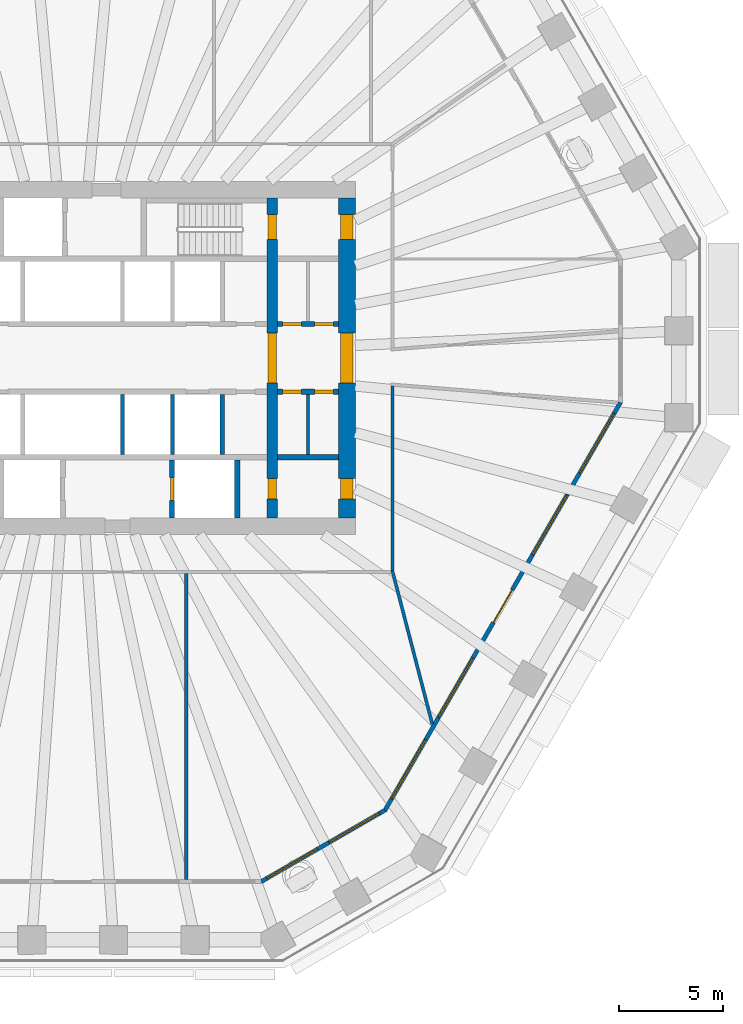
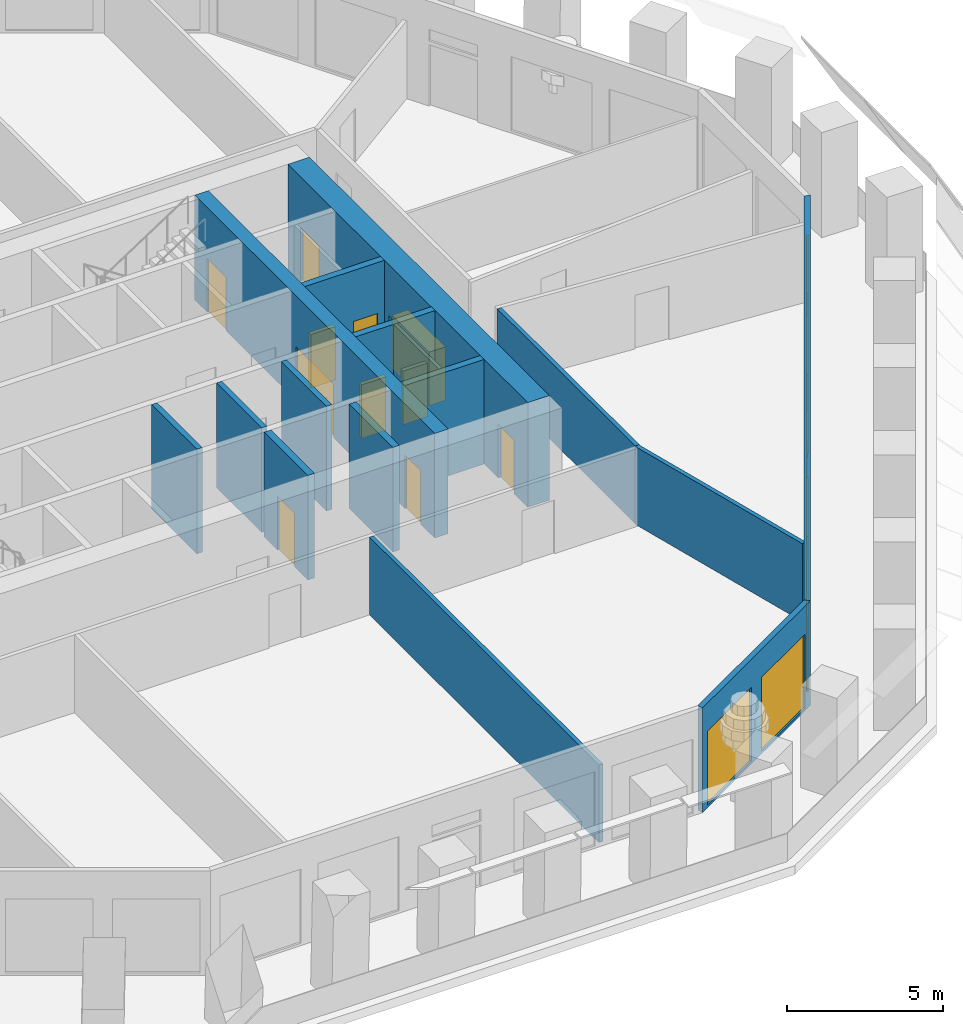
# One storey, part 5 of 12: 16 walls, 12 doors, 7 windows, 19 openings.
"""IFC4 building model written with IfcOpenShell, lengths in metres."""

from ifc_helpers import new_model, si_unit, direction, frame, frame_2d, origin, place, context, subcontext, project, spatial, polyline, rectangle, outline, extrude, material, layer, layer_set, type_object, element, fill, save


model = new_model("IFC4")

# Units and contexts
model_context = context("Model", 3, precision=1e-05, world=origin(), true_north=direction((0.0, 1.0)))
body_context = subcontext(model_context, "Body", "Model", "MODEL_VIEW")
ifc_project = project(units=[si_unit("LENGTHUNIT", "METRE"), si_unit("AREAUNIT", "SQUARE_METRE"), si_unit("VOLUMEUNIT", "CUBIC_METRE"), si_unit("PLANEANGLEUNIT", "RADIAN"), si_unit("MASSUNIT", "GRAM", prefix="KILO")], contexts=[model_context])

# Site, building, storey
site_placement = place(None, origin())
site = spatial("IfcSite", under=ifc_project, at=site_placement, CompositionType="ELEMENT")
building_placement = place(site_placement, origin())
building = spatial("IfcBuilding", under=site, at=building_placement, Name="Frailejon Research Tower", CompositionType="ELEMENT")
storey_placement = place(building_placement, frame((0.0, 0.0, 122.0)))
storey = spatial("IfcBuildingStorey", under=building, at=storey_placement, Name="L26", CompositionType="ELEMENT", Elevation=122.0)

# Wall
ifc_material_1 = material(Name="Plasterboard on steel studs", Category="steel")
ifc_layer_1 = layer(ifc_material_1, 0.125)
ifc_layer_set_1 = layer_set([ifc_layer_1], Name="Core partition 125")
wall_type_1 = type_object("IfcWallType", Name="Core partition 125", PredefinedType="PARTITIONING", material=ifc_layer_set_1)
wall_1_placement = place(storey_placement, frame((11.324951171875, -4.64990234375, 0.0), z_axis=(0.0, 0.0, 1.0), x_axis=(0.0, 1.0, 0.0)))
element("IfcWall", 1, at=wall_1_placement, inside=storey, type_object=wall_type_1, Name="Core partition", PredefinedType="PARTITIONING", context=body_context, shape_type="SweptSolid", body=[
    extrude(rectangle(XDim=2.89990234375, YDim=0.125, at=frame_2d((1.449951171875, 0.0))), origin(), (0.0, 0.0, 1.0), 4.10009765625),
])

# Wall, openings, doors
ifc_material_2 = material(Name="Concrete C70/85", Category="concrete")
ifc_layer_2 = layer(ifc_material_2, 0.5)
ifc_layer_set_2 = layer_set([ifc_layer_2], Name="Core shear wall 500 C70/85")
wall_type_2 = type_object("IfcWallType", Name="Core shear wall 500 C70/85", PredefinedType="SHEAR", material=ifc_layer_set_2)
wall_2_placement = place(storey_placement, frame((9.60009765625, -7.699951171875, 0.0), z_axis=(0.0, 0.0, 1.0), x_axis=(0.0, 1.0, 0.0)))
wall_2 = element("IfcWall", 2, at=wall_2_placement, inside=storey, type_object=wall_type_2, Name="Core shear wall", PredefinedType="SHEAR", context=body_context, shape_type="SweptSolid", body=[
    extrude(rectangle(XDim=15.39990234375, YDim=0.5, at=frame_2d((7.699951171875, 0.0))), origin(), (0.0, 0.0, 1.0), 4.10009765625),
])
opening_1_placement = place(wall_2_placement, frame((6.5, 0.0, 0.0)))
opening_1 = element("IfcOpeningElement", 3, at=opening_1_placement, cuts=wall_2, Name="Opening D2", PredefinedType="OPENING", context=body_context, shape_type="SweptSolid", body=[
    extrude(rectangle(XDim=2.39990234375, YDim=2.10009765625, at=frame_2d((1.199951171875, 1.050048828125))), frame((0.0, 0.260009765625, 0.0), z_axis=(0.0, -1.0, 0.0), x_axis=(1.0, 0.0, 0.0)), (0.0, 0.0, 1.0), 0.52001953125),
])
opening_2_placement = place(wall_2_placement, frame((13.39990234375, 0.0, 0.0)))
opening_2 = element("IfcOpeningElement", 4, at=opening_2_placement, cuts=wall_2, Name="Opening D1", PredefinedType="OPENING", context=body_context, shape_type="SweptSolid", body=[
    extrude(rectangle(XDim=1.199951171875, YDim=2.10009765625, at=frame_2d((0.60009765625, 1.050048828125))), frame((0.0, 0.260009765625, 0.0), z_axis=(0.0, -1.0, 0.0), x_axis=(1.0, 0.0, 0.0)), (0.0, 0.0, 1.0), 0.52001953125),
])
opening_3_placement = place(wall_2_placement, frame((0.89990234375, 0.0, 0.0)))
opening_3 = element("IfcOpeningElement", 5, at=opening_3_placement, cuts=wall_2, Name="Opening D4", PredefinedType="OPENING", context=body_context, shape_type="SweptSolid", body=[
    extrude(rectangle(XDim=1.0, YDim=2.10009765625, at=frame_2d((0.5, 1.050048828125))), frame((0.0, 0.260009765625, 0.0), z_axis=(0.0, -1.0, 0.0), x_axis=(1.0, 0.0, 0.0)), (0.0, 0.0, 1.0), 0.52001953125),
])
ifc_material_3 = material(Name="Steel", Category="steel")
door_type_1 = type_object("IfcDoorType", Name="Lobby double door", OperationType="DOUBLE_DOOR_SINGLE_SWING", PredefinedType="DOOR", material=ifc_material_3)
door_1_placement = place(opening_1_placement, origin())
door_1 = element("IfcDoor", 6, at=door_1_placement, inside=storey, type_object=door_type_1, Name="Lobby door", OperationType="DOUBLE_DOOR_SINGLE_SWING", OverallHeight=2.10009765625, OverallWidth=2.39990234375, PredefinedType="DOOR", context=body_context, shape_type="SweptSolid", body=[
    extrude(rectangle(XDim=2.39990234375, YDim=2.10009765625, at=frame_2d((1.199951171875, 1.050048828125))), frame((0.0, 0.199951171875, 0.0), z_axis=(0.0, -1.0, 0.0), x_axis=(1.0, 0.0, 0.0)), (0.0, 0.0, 1.0), 0.39990234375),
])
fill(opening_1, door_1)
ifc_material_4 = material(Name="Steel", Category="steel")
door_type_2 = type_object("IfcDoorType", Name="Service door", OperationType="SINGLE_SWING_LEFT", PredefinedType="DOOR", material=ifc_material_4)
door_2_placement = place(opening_3_placement, origin())
door_2 = element("IfcDoor", 7, at=door_2_placement, inside=storey, type_object=door_type_2, Name="Riser door", OperationType="SINGLE_SWING_RIGHT", OverallHeight=2.10009765625, OverallWidth=1.0, PredefinedType="DOOR", context=body_context, shape_type="SweptSolid", body=[
    extrude(rectangle(XDim=1.0, YDim=2.10009765625, at=frame_2d((0.5, 1.050048828125))), frame((0.0, 0.199951171875, 0.0), z_axis=(0.0, -1.0, 0.0), x_axis=(1.0, 0.0, 0.0)), (0.0, 0.0, 1.0), 0.39990234375),
])
fill(opening_3, door_2)
ifc_material_5 = material(Name="Steel", Category="steel")
door_type_3 = type_object("IfcDoorType", Name="Stair door", OperationType="SINGLE_SWING_LEFT", PredefinedType="DOOR", material=ifc_material_5)
door_3_placement = place(opening_2_placement, origin())
door_3 = element("IfcDoor", 8, at=door_3_placement, inside=storey, type_object=door_type_3, Name="Stair door ST3", OperationType="SINGLE_SWING_RIGHT", OverallHeight=2.10009765625, OverallWidth=1.199951171875, PredefinedType="DOOR", context=body_context, shape_type="SweptSolid", body=[
    extrude(rectangle(XDim=1.199951171875, YDim=2.10009765625, at=frame_2d((0.60009765625, 1.050048828125))), frame((0.0, 0.199951171875, 0.0), z_axis=(0.0, -1.0, 0.0), x_axis=(1.0, 0.0, 0.0)), (0.0, 0.0, 1.0), 0.39990234375),
])
fill(opening_2, door_3)

ifc_material_6 = material(Name="Concrete C70/85", Category="concrete")
ifc_layer_3 = layer(ifc_material_6, 0.800048828125)
ifc_layer_set_3 = layer_set([ifc_layer_3], Name="Core shear wall 800 C70/85")
wall_type_3 = type_object("IfcWallType", Name="Core shear wall 800 C70/85", PredefinedType="SHEAR", material=ifc_layer_set_3)
wall_3_placement = place(storey_placement, frame((13.199951171875, -7.699951171875, 0.0), z_axis=(0.0, 0.0, 1.0), x_axis=(0.0, 1.0, 0.0)))
wall_3 = element("IfcWall", 9, at=wall_3_placement, inside=storey, type_object=wall_type_3, Name="Core shear wall", PredefinedType="SHEAR", context=body_context, shape_type="SweptSolid", body=[
    extrude(rectangle(XDim=15.39990234375, YDim=0.800048828125, at=frame_2d((7.699951171875, 0.0))), origin(), (0.0, 0.0, 1.0), 4.10009765625),
])
opening_4_placement = place(wall_3_placement, frame((6.5, 0.0, 0.0)))
opening_4 = element("IfcOpeningElement", 10, at=opening_4_placement, cuts=wall_3, Name="Opening D2", PredefinedType="OPENING", context=body_context, shape_type="SweptSolid", body=[
    extrude(rectangle(XDim=2.39990234375, YDim=2.10009765625, at=frame_2d((1.199951171875, 1.050048828125))), frame((0.0, 0.409912109375, 0.0), z_axis=(0.0, -1.0, 0.0), x_axis=(1.0, 0.0, 0.0)), (0.0, 0.0, 1.0), 0.820068359375),
])
opening_5_placement = place(wall_3_placement, frame((13.39990234375, 0.0, 0.0)))
opening_5 = element("IfcOpeningElement", 11, at=opening_5_placement, cuts=wall_3, Name="Opening D7", PredefinedType="OPENING", context=body_context, shape_type="SweptSolid", body=[
    extrude(rectangle(XDim=1.199951171875, YDim=2.10009765625, at=frame_2d((0.60009765625, 1.050048828125))), frame((0.0, 0.409912109375, 0.0), z_axis=(0.0, -1.0, 0.0), x_axis=(1.0, 0.0, 0.0)), (0.0, 0.0, 1.0), 0.820068359375),
])
opening_6_placement = place(wall_3_placement, frame((0.89990234375, 0.0, 0.0)))
opening_6 = element("IfcOpeningElement", 12, at=opening_6_placement, cuts=wall_3, Name="Opening D4", PredefinedType="OPENING", context=body_context, shape_type="SweptSolid", body=[
    extrude(rectangle(XDim=1.0, YDim=2.10009765625, at=frame_2d((0.5, 1.050048828125))), frame((0.0, 0.409912109375, 0.0), z_axis=(0.0, -1.0, 0.0), x_axis=(1.0, 0.0, 0.0)), (0.0, 0.0, 1.0), 0.820068359375),
])
door_4_placement = place(opening_4_placement, origin())
door_4 = element("IfcDoor", 13, at=door_4_placement, inside=storey, type_object=door_type_1, Name="Lobby door", OperationType="DOUBLE_DOOR_SINGLE_SWING", OverallHeight=2.10009765625, OverallWidth=2.39990234375, PredefinedType="DOOR", context=body_context, shape_type="SweptSolid", body=[
    extrude(rectangle(XDim=2.39990234375, YDim=2.10009765625, at=frame_2d((1.199951171875, 1.050048828125))), frame((0.0, 0.300048828125, 0.0), z_axis=(0.0, -1.0, 0.0), x_axis=(1.0, 0.0, 0.0)), (0.0, 0.0, 1.0), 0.60009765625),
])
fill(opening_4, door_4)
door_5_placement = place(opening_6_placement, origin())
door_5 = element("IfcDoor", 14, at=door_5_placement, inside=storey, type_object=door_type_2, Name="Store door", OperationType="SINGLE_SWING_LEFT", OverallHeight=2.10009765625, OverallWidth=1.0, PredefinedType="DOOR", context=body_context, shape_type="SweptSolid", body=[
    extrude(rectangle(XDim=1.0, YDim=2.10009765625, at=frame_2d((0.5, 1.050048828125))), frame((0.0, 0.300048828125, 0.0), z_axis=(0.0, -1.0, 0.0), x_axis=(1.0, 0.0, 0.0)), (0.0, 0.0, 1.0), 0.60009765625),
])
fill(opening_6, door_5)
ifc_material_7 = material(Name="Steel", Category="steel")
door_type_4 = type_object("IfcDoorType", Name="Stair exit door", OperationType="SINGLE_SWING_LEFT", PredefinedType="DOOR", material=ifc_material_7)
door_6_placement = place(opening_5_placement, origin())
door_6 = element("IfcDoor", 15, at=door_6_placement, inside=storey, type_object=door_type_4, Name="Stair exit door ST3", OperationType="SINGLE_SWING_LEFT", OverallHeight=2.10009765625, OverallWidth=1.199951171875, PredefinedType="DOOR", context=body_context, shape_type="SweptSolid", body=[
    extrude(rectangle(XDim=1.199951171875, YDim=2.10009765625, at=frame_2d((0.60009765625, 1.050048828125))), frame((0.0, 0.300048828125, 0.0), z_axis=(0.0, -1.0, 0.0), x_axis=(1.0, 0.0, 0.0)), (0.0, 0.0, 1.0), 0.60009765625),
])
fill(opening_5, door_6)

# Walls
ifc_material_8 = material(Name="Gypsum board and masonry partition", Category="masonry")
ifc_layer_4 = layer(ifc_material_8, 0.14990234375)
ifc_layer_set_4 = layer_set([ifc_layer_4], Name="Corridor wall EI 60, gypsum on steel studs 150")
wall_type_4 = type_object("IfcWallType", Name="Corridor wall EI 60, gypsum on steel studs 150", PredefinedType="PARTITIONING", material=ifc_layer_set_4)
wall_4_placement = place(storey_placement, frame((15.39990234375, -10.22509765625, 0.0), z_axis=(0.0, 0.0, 1.0), x_axis=(0.0, 1.0, 0.0)))
element("IfcWall", 16, at=wall_4_placement, inside=storey, type_object=wall_type_4, Name="T:IW:L26:001", PredefinedType="PARTITIONING", context=body_context, shape_type="SweptSolid", body=[
    extrude(rectangle(XDim=8.86279296875, YDim=0.14990234375, at=frame_2d((4.431396484375, 0.0))), origin(), (0.0, 0.0, 1.0), 3.050048828125),
])
ifc_material_9 = material(Name="Gypsum board and masonry partition", Category="masonry")
ifc_layer_5 = layer(ifc_material_9, 0.14990234375)
ifc_layer_set_5 = layer_set([ifc_layer_5], Name="Laboratory partition, blockwork 150")
wall_type_5 = type_object("IfcWallType", Name="Laboratory partition, blockwork 150", PredefinedType="PARTITIONING", material=ifc_layer_set_5)
wall_5_placement = place(storey_placement, frame((5.46533203125, -25.0947265625, 0.0), z_axis=(0.0, 0.0, 1.0), x_axis=(0.0, 1.0, 0.0)))
element("IfcWall", 17, at=wall_5_placement, inside=storey, type_object=wall_type_5, Name="T:IW:L26:018", PredefinedType="PARTITIONING", context=body_context, shape_type="SweptSolid", body=[
    extrude(rectangle(XDim=14.7197265625, YDim=0.14990234375, at=frame_2d((7.35986328125, 0.0))), origin(), (0.0, 0.0, 1.0), 3.050048828125),
])
wall_6_placement = place(storey_placement, frame((15.381103515625, -10.227294921875, 0.0), z_axis=(0.0, 0.0, 1.0), x_axis=(0.252055148488, -0.967712871735, 0.0)))
element("IfcWall", 18, at=wall_6_placement, inside=storey, type_object=wall_type_5, Name="T:IW:L26:019", PredefinedType="PARTITIONING", context=body_context, shape_type="SweptSolid", body=[
    extrude(rectangle(XDim=7.642333984375, YDim=0.14990234375, at=frame_2d((3.8212890625, 0.0))), origin(), (0.0, 0.0, 1.0), 3.050048828125),
])
ifc_material_10 = material(Name="Concrete C70/85", Category="concrete")
ifc_layer_6 = layer(ifc_material_10, 0.199951171875)
ifc_layer_set_6 = layer_set([ifc_layer_6], Name="Shaft wall 200 C70/85")
wall_type_6 = type_object("IfcWallType", Name="Shaft wall 200 C70/85", PredefinedType="SOLIDWALL", material=ifc_layer_set_6)
for number, where, z_axis, x_axis, name in (
    (19, (2.39990234375, -4.64990234375, 0.0), (0.0, 0.0, 1.0), (0.0, 1.0, 0.0), "Shaft wall"),
    (20, (4.800048828125, -4.64990234375, 0.0), (0.0, 0.0, 1.0), (0.0, 1.0, 0.0), "Shaft wall"),
    (21, (7.199951171875, -4.64990234375, 0.0), (0.0, 0.0, 1.0), (0.0, 1.0, 0.0), "Shaft wall"),
):
    element("IfcWall", number, at=place(storey_placement, frame(where, z_axis=z_axis, x_axis=x_axis)), inside=storey, type_object=wall_type_6, Name=name, PredefinedType="SOLIDWALL", context=body_context, shape_type="SweptSolid", body=[
        extrude(rectangle(XDim=2.89990234375, YDim=0.199951171875, at=frame_2d((1.449951171875, 0.0))), origin(), (0.0, 0.0, 1.0), 4.10009765625),
    ])

# Wall, openings, doors
ifc_material_11 = material(Name="Concrete C70/85", Category="concrete")
ifc_layer_7 = layer(ifc_material_11, 0.25)
ifc_layer_set_7 = layer_set([ifc_layer_7], Name="Shaft wall 250 C70/85")
wall_type_7 = type_object("IfcWallType", Name="Shaft wall 250 C70/85", PredefinedType="SOLIDWALL", material=ifc_layer_set_7)
wall_7_placement = place(storey_placement, frame((9.85009765625, 1.625, 0.0), z_axis=(0.0, 0.0, 1.0), x_axis=(1.0, 0.0, 0.0)))
wall_7 = element("IfcWall", 22, at=wall_7_placement, inside=storey, type_object=wall_type_7, Name="Shaft wall", PredefinedType="SOLIDWALL", context=body_context, shape_type="SweptSolid", body=[
    extrude(rectangle(XDim=2.949951171875, YDim=0.25, at=frame_2d((1.47509765625, 0.0))), origin(), (0.0, 0.0, 1.0), 4.10009765625),
])
opening_7_placement = place(wall_7_placement, frame((0.256103515625, 0.0, 0.0)))
opening_7 = element("IfcOpeningElement", 23, at=opening_7_placement, cuts=wall_7, Name="Opening D8", PredefinedType="OPENING", context=body_context, shape_type="SweptSolid", body=[
    extrude(rectangle(XDim=0.89990234375, YDim=2.10009765625, at=frame_2d((0.449951171875, 1.050048828125))), frame((0.0, 0.135009765625, 0.0), z_axis=(0.0, -1.0, 0.0), x_axis=(1.0, 0.0, 0.0)), (0.0, 0.0, 1.0), 0.27001953125),
])
opening_8_placement = place(wall_7_placement, frame((1.793701171875, 0.0, 0.0)))
opening_8 = element("IfcOpeningElement", 24, at=opening_8_placement, cuts=wall_7, Name="Opening D8", PredefinedType="OPENING", context=body_context, shape_type="SweptSolid", body=[
    extrude(rectangle(XDim=0.89990234375, YDim=2.10009765625, at=frame_2d((0.449951171875, 1.050048828125))), frame((0.0, 0.135009765625, 0.0), z_axis=(0.0, -1.0, 0.0), x_axis=(1.0, 0.0, 0.0)), (0.0, 0.0, 1.0), 0.27001953125),
])
ifc_material_12 = material(Name="Steel", Category="steel")
door_type_5 = type_object("IfcDoorType", Name="Core room door", OperationType="SINGLE_SWING_LEFT", PredefinedType="DOOR", material=ifc_material_12)
door_7_placement = place(opening_7_placement, origin())
door_7 = element("IfcDoor", 25, at=door_7_placement, inside=storey, type_object=door_type_5, Name="Room door", OperationType="SINGLE_SWING_RIGHT", OverallHeight=2.10009765625, OverallWidth=0.89990234375, PredefinedType="DOOR", context=body_context, shape_type="SweptSolid", body=[
    extrude(rectangle(XDim=0.89990234375, YDim=2.10009765625, at=frame_2d((0.449951171875, 1.050048828125))), frame((0.0, 0.074951171875, 0.0), z_axis=(0.0, -1.0, 0.0), x_axis=(1.0, 0.0, 0.0)), (0.0, 0.0, 1.0), 0.14990234375),
])
fill(opening_7, door_7)
door_8_placement = place(opening_8_placement, origin())
door_8 = element("IfcDoor", 26, at=door_8_placement, inside=storey, type_object=door_type_5, Name="Room door", OperationType="SINGLE_SWING_LEFT", OverallHeight=2.10009765625, OverallWidth=0.89990234375, PredefinedType="DOOR", context=body_context, shape_type="SweptSolid", body=[
    extrude(rectangle(XDim=0.89990234375, YDim=2.10009765625, at=frame_2d((0.449951171875, 1.050048828125))), frame((0.0, 0.074951171875, 0.0), z_axis=(0.0, -1.0, 0.0), x_axis=(1.0, 0.0, 0.0)), (0.0, 0.0, 1.0), 0.14990234375),
])
fill(opening_8, door_8)

wall_8_placement = place(storey_placement, frame((9.85009765625, -1.625, 0.0), z_axis=(0.0, 0.0, 1.0), x_axis=(1.0, 0.0, 0.0)))
wall_8 = element("IfcWall", 27, at=wall_8_placement, inside=storey, type_object=wall_type_7, Name="Shaft wall", PredefinedType="SOLIDWALL", context=body_context, shape_type="SweptSolid", body=[
    extrude(rectangle(XDim=2.949951171875, YDim=0.25, at=frame_2d((1.47509765625, 0.0))), origin(), (0.0, 0.0, 1.0), 4.10009765625),
])
opening_9_placement = place(wall_8_placement, frame((0.256103515625, 0.0, 0.0)))
opening_9 = element("IfcOpeningElement", 28, at=opening_9_placement, cuts=wall_8, Name="Opening D8", PredefinedType="OPENING", context=body_context, shape_type="SweptSolid", body=[
    extrude(rectangle(XDim=0.89990234375, YDim=2.10009765625, at=frame_2d((0.449951171875, 1.050048828125))), frame((0.0, 0.135009765625, 0.0), z_axis=(0.0, -1.0, 0.0), x_axis=(1.0, 0.0, 0.0)), (0.0, 0.0, 1.0), 0.27001953125),
])
opening_10_placement = place(wall_8_placement, frame((1.793701171875, 0.0, 0.0)))
opening_10 = element("IfcOpeningElement", 29, at=opening_10_placement, cuts=wall_8, Name="Opening D8", PredefinedType="OPENING", context=body_context, shape_type="SweptSolid", body=[
    extrude(rectangle(XDim=0.89990234375, YDim=2.10009765625, at=frame_2d((0.449951171875, 1.050048828125))), frame((0.0, 0.135009765625, 0.0), z_axis=(0.0, -1.0, 0.0), x_axis=(1.0, 0.0, 0.0)), (0.0, 0.0, 1.0), 0.27001953125),
])
door_9_placement = place(opening_9_placement, origin())
door_9 = element("IfcDoor", 30, at=door_9_placement, inside=storey, type_object=door_type_5, Name="Room door", OperationType="SINGLE_SWING_RIGHT", OverallHeight=2.10009765625, OverallWidth=0.89990234375, PredefinedType="DOOR", context=body_context, shape_type="SweptSolid", body=[
    extrude(rectangle(XDim=0.89990234375, YDim=2.10009765625, at=frame_2d((0.449951171875, 1.050048828125))), frame((0.0, 0.074951171875, 0.0), z_axis=(0.0, -1.0, 0.0), x_axis=(1.0, 0.0, 0.0)), (0.0, 0.0, 1.0), 0.14990234375),
])
fill(opening_9, door_9)
door_10_placement = place(opening_10_placement, origin())
door_10 = element("IfcDoor", 31, at=door_10_placement, inside=storey, type_object=door_type_5, Name="Room door", OperationType="SINGLE_SWING_LEFT", OverallHeight=2.10009765625, OverallWidth=0.89990234375, PredefinedType="DOOR", context=body_context, shape_type="SweptSolid", body=[
    extrude(rectangle(XDim=0.89990234375, YDim=2.10009765625, at=frame_2d((0.449951171875, 1.050048828125))), frame((0.0, 0.074951171875, 0.0), z_axis=(0.0, -1.0, 0.0), x_axis=(1.0, 0.0, 0.0)), (0.0, 0.0, 1.0), 0.14990234375),
])
fill(opening_10, door_10)

# Wall
wall_9_placement = place(storey_placement, frame((9.85009765625, -4.77490234375, 0.0), z_axis=(0.0, 0.0, 1.0), x_axis=(1.0, 0.0, 0.0)))
element("IfcWall", 32, at=wall_9_placement, inside=storey, type_object=wall_type_7, Name="Shaft wall", PredefinedType="SOLIDWALL", context=body_context, shape_type="SweptSolid", body=[
    extrude(rectangle(XDim=2.949951171875, YDim=0.25, at=frame_2d((1.47509765625, 0.0))), origin(), (0.0, 0.0, 1.0), 4.10009765625),
])

# Wall, opening, door
wall_10_placement = place(storey_placement, frame((4.77490234375, -7.699951171875, 0.0), z_axis=(0.0, 0.0, 1.0), x_axis=(0.0, 1.0, 0.0)))
wall_10 = element("IfcWall", 33, at=wall_10_placement, inside=storey, type_object=wall_type_7, Name="Shaft wall", PredefinedType="SOLIDWALL", context=body_context, shape_type="SweptSolid", body=[
    extrude(rectangle(XDim=2.800048828125, YDim=0.25, at=frame_2d((1.39990234375, 0.0))), origin(), (0.0, 0.0, 1.0), 4.10009765625),
])
opening_11_placement = place(wall_10_placement, frame((0.85009765625, 0.0, 0.0)))
opening_11 = element("IfcOpeningElement", 34, at=opening_11_placement, cuts=wall_10, Name="Opening LD", PredefinedType="OPENING", context=body_context, shape_type="SweptSolid", body=[
    extrude(rectangle(XDim=1.10009765625, YDim=2.10009765625, at=frame_2d((0.550048828125, 1.050048828125))), frame((0.0, 0.135009765625, 0.0), z_axis=(0.0, -1.0, 0.0), x_axis=(1.0, 0.0, 0.0)), (0.0, 0.0, 1.0), 0.27001953125),
])
ifc_material_13 = material(Name="Steel", Category="steel")
door_type_6 = type_object("IfcDoorType", Name="Lift landing door", OperationType="DOUBLE_DOOR_SLIDING", PredefinedType="DOOR", material=ifc_material_13)
door_11_placement = place(opening_11_placement, origin())
door_11 = element("IfcDoor", 35, at=door_11_placement, inside=storey, type_object=door_type_6, Name="Lift landing door", OperationType="DOUBLE_DOOR_SLIDING", OverallHeight=2.10009765625, OverallWidth=1.10009765625, PredefinedType="DOOR", context=body_context, shape_type="SweptSolid", body=[
    extrude(rectangle(XDim=1.10009765625, YDim=2.10009765625, at=frame_2d((0.550048828125, 1.050048828125))), frame((0.0, 0.074951171875, 0.0), z_axis=(0.0, -1.0, 0.0), x_axis=(1.0, 0.0, 0.0)), (0.0, 0.0, 1.0), 0.14990234375),
])
fill(opening_11, door_11)

# Wall
wall_11_placement = place(storey_placement, frame((7.925048828125, -7.699951171875, 0.0), z_axis=(0.0, 0.0, 1.0), x_axis=(0.0, 1.0, 0.0)))
element("IfcWall", 36, at=wall_11_placement, inside=storey, type_object=wall_type_7, Name="Shaft wall", PredefinedType="SOLIDWALL", context=body_context, shape_type="SweptSolid", body=[
    extrude(rectangle(XDim=2.800048828125, YDim=0.25, at=frame_2d((1.39990234375, 0.0))), origin(), (0.0, 0.0, 1.0), 4.10009765625),
])

# Wall, openings, windows
ifc_material_14 = material(Name="Concrete C40/50 precast window wall panel", Category="concrete")
ifc_layer_8 = layer(ifc_material_14, 0.199951171875)
ifc_layer_set_8 = layer_set([ifc_layer_8], Name="Window wall 200")
wall_type_8 = type_object("IfcWallType", Name="Window wall 200", PredefinedType="SOLIDWALL", material=ifc_layer_set_8)
wall_12_placement = place(storey_placement, frame((9.08203125, -25.19482421875, 0.0), z_axis=(0.0, 0.0, 1.0), x_axis=(0.866029458321, 0.49999297727, 0.0)))
wall_12 = element("IfcWall", 37, at=wall_12_placement, inside=storey, type_object=wall_type_8, Name="Exterior wall L26", PredefinedType="SOLIDWALL", context=body_context, shape_type="SweptSolid", body=[
    extrude(outline(polyline([(-0.02685546875, -0.10009765625), (1.1279296875, -0.10009765625), (2.282470703125, -0.10009765625), (3.437255859375, -0.10009765625), (4.592041015625, -0.10009765625), (5.74658203125, -0.10009765625), (6.9013671875, -0.10009765625), (6.84765625, 0.10009765625), (5.7109375, 0.10009765625), (4.573974609375, 0.10009765625), (3.437255859375, 0.10009765625), (2.300537109375, 0.10009765625), (1.16357421875, 0.10009765625), (0.02685546875, 0.10009765625), (-0.02685546875, -0.10009765625)])), origin(), (0.0, 0.0, 1.0), 4.10009765625),
])
opening_12_placement = place(wall_12_placement, frame((0.318603515625, 0.0, 0.10009765625)))
opening_12 = element("IfcOpeningElement", 38, at=opening_12_placement, cuts=wall_12, Name="Opening W3", PredefinedType="OPENING", context=body_context, shape_type="SweptSolid", body=[
    extrude(rectangle(XDim=2.800048828125, YDim=2.89990234375, at=frame_2d((1.39990234375, 1.449951171875))), frame((0.0, 0.10986328125, 0.0), z_axis=(0.0, -1.0, 0.0), x_axis=(1.0, 0.0, 0.0)), (0.0, 0.0, 1.0), 0.219970703125),
])
opening_13_placement = place(wall_12_placement, frame((3.756103515625, 0.0, 0.10009765625)))
opening_13 = element("IfcOpeningElement", 39, at=opening_13_placement, cuts=wall_12, Name="Opening W3", PredefinedType="OPENING", context=body_context, shape_type="SweptSolid", body=[
    extrude(rectangle(XDim=2.800048828125, YDim=2.89990234375, at=frame_2d((1.39990234375, 1.449951171875))), frame((0.0, 0.10986328125, 0.0), z_axis=(0.0, -1.0, 0.0), x_axis=(1.0, 0.0, 0.0)), (0.0, 0.0, 1.0), 0.219970703125),
])
ifc_material_15 = material(Name="Aluminium framed double glazing", Category="aluminium")
window_type_1 = type_object("IfcWindowType", Name="Window 2800x2900", PartitioningType="SINGLE_PANEL", PredefinedType="WINDOW", material=ifc_material_15)
window_1_placement = place(opening_12_placement, origin())
window_1 = element("IfcWindow", 40, at=window_1_placement, inside=storey, type_object=window_type_1, Name="Window L26", OverallHeight=2.89990234375, OverallWidth=2.800048828125, PartitioningType="SINGLE_PANEL", PredefinedType="WINDOW", context=body_context, shape_type="SweptSolid", body=[
    extrude(rectangle(XDim=2.800048828125, YDim=2.89990234375, at=frame_2d((1.39990234375, 1.449951171875))), frame((0.0, 0.030029296875, 0.0), z_axis=(0.0, -1.0, 0.0), x_axis=(1.0, 0.0, 0.0)), (0.0, 0.0, 1.0), 0.06005859375),
])
fill(opening_12, window_1)
window_2_placement = place(opening_13_placement, origin())
window_2 = element("IfcWindow", 41, at=window_2_placement, inside=storey, type_object=window_type_1, Name="Window L26", OverallHeight=2.89990234375, OverallWidth=2.800048828125, PartitioningType="SINGLE_PANEL", PredefinedType="WINDOW", context=body_context, shape_type="SweptSolid", body=[
    extrude(rectangle(XDim=2.800048828125, YDim=2.89990234375, at=frame_2d((1.39990234375, 1.449951171875))), frame((0.0, 0.030029296875, 0.0), z_axis=(0.0, -1.0, 0.0), x_axis=(1.0, 0.0, 0.0)), (0.0, 0.0, 1.0), 0.06005859375),
])
fill(opening_13, window_2)

# Wall, openings, door, windows
wall_13_placement = place(storey_placement, frame((15.03564453125, -21.757568359375, 0.0), z_axis=(0.0, 0.0, 1.0), x_axis=(0.499999574138, 0.866025649656, 0.0)))
wall_13 = element("IfcWall", 42, at=wall_13_placement, inside=storey, type_object=wall_type_8, Name="Exterior wall L26", PredefinedType="SOLIDWALL", context=body_context, shape_type="SweptSolid", body=[
    extrude(outline(polyline([(-0.02685546875, -0.10009765625), (1.005126953125, -0.10009765625), (2.037109375, -0.10009765625), (3.069091796875, -0.10009765625), (4.10107421875, -0.10009765625), (5.133056640625, -0.10009765625), (6.164794921875, -0.10009765625), (7.19677734375, -0.10009765625), (8.228759765625, -0.10009765625), (9.2607421875, -0.10009765625), (10.292724609375, -0.10009765625), (11.32470703125, -0.10009765625), (12.356689453125, -0.10009765625), (13.388671875, -0.10009765625), (14.420654296875, -0.10009765625), (15.45263671875, -0.10009765625), (16.484619140625, -0.10009765625), (17.516357421875, -0.10009765625), (18.54833984375, -0.10009765625), (19.580322265625, -0.10009765625), (20.6123046875, -0.10009765625), (21.644287109375, -0.10009765625), (22.67626953125, -0.10009765625), (22.62255859375, 0.10009765625), (21.595458984375, 0.10009765625), (20.568359375, 0.10009765625), (19.541259765625, 0.10009765625), (18.51416015625, 0.10009765625), (17.487060546875, 0.10009765625), (16.460205078125, 0.10009765625), (15.43310546875, 0.10009765625), (14.406005859375, 0.10009765625), (13.37890625, 0.10009765625), (12.351806640625, 0.10009765625), (11.32470703125, 0.10009765625), (10.297607421875, 0.10009765625), (9.2705078125, 0.10009765625), (8.243408203125, 0.10009765625), (7.21630859375, 0.10009765625), (6.189208984375, 0.10009765625), (5.162353515625, 0.10009765625), (4.13525390625, 0.10009765625), (3.108154296875, 0.10009765625), (2.0810546875, 0.10009765625), (1.053955078125, 0.10009765625), (0.02685546875, 0.10009765625), (-0.02685546875, -0.10009765625)])), origin(), (0.0, 0.0, 1.0), 4.10009765625),
])
opening_14_placement = place(wall_13_placement, frame((0.614990234375, 0.0, 0.10009765625)))
opening_14 = element("IfcOpeningElement", 43, at=opening_14_placement, cuts=wall_13, Name="Opening W5", PredefinedType="OPENING", context=body_context, shape_type="SweptSolid", body=[
    extrude(rectangle(XDim=3.300048828125, YDim=2.89990234375, at=frame_2d((1.64990234375, 1.449951171875))), frame((0.0, 0.10986328125, 0.0), z_axis=(0.0, -1.0, 0.0), x_axis=(1.0, 0.0, 0.0)), (0.0, 0.0, 1.0), 0.219970703125),
])
opening_15_placement = place(wall_13_placement, frame((5.144775390625, 0.0, 0.10009765625)))
opening_15 = element("IfcOpeningElement", 44, at=opening_15_placement, cuts=wall_13, Name="Opening W5", PredefinedType="OPENING", context=body_context, shape_type="SweptSolid", body=[
    extrude(rectangle(XDim=3.300048828125, YDim=2.89990234375, at=frame_2d((1.64990234375, 1.449951171875))), frame((0.0, 0.10986328125, 0.0), z_axis=(0.0, -1.0, 0.0), x_axis=(1.0, 0.0, 0.0)), (0.0, 0.0, 1.0), 0.219970703125),
])
opening_16_placement = place(wall_13_placement, frame((10.4248046875, 0.0, 0.0)))
opening_16 = element("IfcOpeningElement", 45, at=opening_16_placement, cuts=wall_13, Name="Opening LG26-6", PredefinedType="OPENING", context=body_context, shape_type="SweptSolid", body=[
    extrude(rectangle(XDim=1.800048828125, YDim=2.39990234375, at=frame_2d((0.89990234375, 1.199951171875))), frame((0.0, 0.10986328125, 0.0), z_axis=(0.0, -1.0, 0.0), x_axis=(1.0, 0.0, 0.0)), (0.0, 0.0, 1.0), 0.219970703125),
])
opening_17_placement = place(wall_13_placement, frame((10.4248046875, 0.0, 2.550048828125)))
opening_17 = element("IfcOpeningElement", 46, at=opening_17_placement, cuts=wall_13, Name="Opening W1", PredefinedType="OPENING", context=body_context, shape_type="SweptSolid", body=[
    extrude(rectangle(XDim=1.800048828125, YDim=0.449951171875, at=frame_2d((0.89990234375, 0.22509765625))), frame((0.0, 0.10986328125, 0.0), z_axis=(0.0, -1.0, 0.0), x_axis=(1.0, 0.0, 0.0)), (0.0, 0.0, 1.0), 0.219970703125),
])
opening_18_placement = place(wall_13_placement, frame((14.20458984375, 0.0, 0.10009765625)))
opening_18 = element("IfcOpeningElement", 47, at=opening_18_placement, cuts=wall_13, Name="Opening W5", PredefinedType="OPENING", context=body_context, shape_type="SweptSolid", body=[
    extrude(rectangle(XDim=3.300048828125, YDim=2.89990234375, at=frame_2d((1.64990234375, 1.449951171875))), frame((0.0, 0.10986328125, 0.0), z_axis=(0.0, -1.0, 0.0), x_axis=(1.0, 0.0, 0.0)), (0.0, 0.0, 1.0), 0.219970703125),
])
opening_19_placement = place(wall_13_placement, frame((18.734375, 0.0, 0.10009765625)))
opening_19 = element("IfcOpeningElement", 48, at=opening_19_placement, cuts=wall_13, Name="Opening W5", PredefinedType="OPENING", context=body_context, shape_type="SweptSolid", body=[
    extrude(rectangle(XDim=3.300048828125, YDim=2.89990234375, at=frame_2d((1.64990234375, 1.449951171875))), frame((0.0, 0.10986328125, 0.0), z_axis=(0.0, -1.0, 0.0), x_axis=(1.0, 0.0, 0.0)), (0.0, 0.0, 1.0), 0.219970703125),
])
ifc_material_16 = material(Name="Aluminium framed glazed door leaf", Category="aluminium")
door_type_7 = type_object("IfcDoorType", Name="Loggia door 1800x2400", OperationType="DOUBLE_DOOR_SINGLE_SWING", PredefinedType="DOOR", material=ifc_material_16)
door_12_placement = place(opening_16_placement, origin())
door_12 = element("IfcDoor", 49, at=door_12_placement, inside=storey, type_object=door_type_7, Name="Door LG26-6", OperationType="DOUBLE_DOOR_SINGLE_SWING", OverallHeight=2.39990234375, OverallWidth=1.800048828125, PredefinedType="DOOR", context=body_context, shape_type="SweptSolid", body=[
    extrude(rectangle(XDim=1.800048828125, YDim=2.39990234375, at=frame_2d((0.89990234375, 1.199951171875))), frame((0.0, 0.02490234375, 0.0), z_axis=(0.0, -1.0, 0.0), x_axis=(1.0, 0.0, 0.0)), (0.0, 0.0, 1.0), 0.050048828125),
])
fill(opening_16, door_12)
ifc_material_17 = material(Name="Aluminium framed double glazing", Category="aluminium")
window_type_2 = type_object("IfcWindowType", Name="Window 1800x450", PartitioningType="SINGLE_PANEL", PredefinedType="WINDOW", material=ifc_material_17)
window_3_placement = place(opening_17_placement, origin())
window_3 = element("IfcWindow", 50, at=window_3_placement, inside=storey, type_object=window_type_2, Name="Window L26", OverallHeight=0.449951171875, OverallWidth=1.800048828125, PartitioningType="SINGLE_PANEL", PredefinedType="WINDOW", context=body_context, shape_type="SweptSolid", body=[
    extrude(rectangle(XDim=1.800048828125, YDim=0.449951171875, at=frame_2d((0.89990234375, 0.22509765625))), frame((0.0, 0.030029296875, 0.0), z_axis=(0.0, -1.0, 0.0), x_axis=(1.0, 0.0, 0.0)), (0.0, 0.0, 1.0), 0.06005859375),
])
fill(opening_17, window_3)
ifc_material_18 = material(Name="Aluminium framed double glazing", Category="aluminium")
window_type_3 = type_object("IfcWindowType", Name="Window 3300x2900", PartitioningType="SINGLE_PANEL", PredefinedType="WINDOW", material=ifc_material_18)
window_4_placement = place(opening_14_placement, origin())
window_4 = element("IfcWindow", 51, at=window_4_placement, inside=storey, type_object=window_type_3, Name="Window L26", OverallHeight=2.89990234375, OverallWidth=3.300048828125, PartitioningType="SINGLE_PANEL", PredefinedType="WINDOW", context=body_context, shape_type="SweptSolid", body=[
    extrude(rectangle(XDim=3.300048828125, YDim=2.89990234375, at=frame_2d((1.64990234375, 1.449951171875))), frame((0.0, 0.030029296875, 0.0), z_axis=(0.0, -1.0, 0.0), x_axis=(1.0, 0.0, 0.0)), (0.0, 0.0, 1.0), 0.06005859375),
])
fill(opening_14, window_4)
window_5_placement = place(opening_15_placement, origin())
window_5 = element("IfcWindow", 52, at=window_5_placement, inside=storey, type_object=window_type_3, Name="Window L26", OverallHeight=2.89990234375, OverallWidth=3.300048828125, PartitioningType="SINGLE_PANEL", PredefinedType="WINDOW", context=body_context, shape_type="SweptSolid", body=[
    extrude(rectangle(XDim=3.300048828125, YDim=2.89990234375, at=frame_2d((1.64990234375, 1.449951171875))), frame((0.0, 0.030029296875, 0.0), z_axis=(0.0, -1.0, 0.0), x_axis=(1.0, 0.0, 0.0)), (0.0, 0.0, 1.0), 0.06005859375),
])
fill(opening_15, window_5)
window_6_placement = place(opening_18_placement, origin())
window_6 = element("IfcWindow", 53, at=window_6_placement, inside=storey, type_object=window_type_3, Name="Window L26", OverallHeight=2.89990234375, OverallWidth=3.300048828125, PartitioningType="SINGLE_PANEL", PredefinedType="WINDOW", context=body_context, shape_type="SweptSolid", body=[
    extrude(rectangle(XDim=3.300048828125, YDim=2.89990234375, at=frame_2d((1.64990234375, 1.449951171875))), frame((0.0, 0.030029296875, 0.0), z_axis=(0.0, -1.0, 0.0), x_axis=(1.0, 0.0, 0.0)), (0.0, 0.0, 1.0), 0.06005859375),
])
fill(opening_18, window_6)
window_7_placement = place(opening_19_placement, origin())
window_7 = element("IfcWindow", 54, at=window_7_placement, inside=storey, type_object=window_type_3, Name="Window L26", OverallHeight=2.89990234375, OverallWidth=3.300048828125, PartitioningType="SINGLE_PANEL", PredefinedType="WINDOW", context=body_context, shape_type="SweptSolid", body=[
    extrude(rectangle(XDim=3.300048828125, YDim=2.89990234375, at=frame_2d((1.64990234375, 1.449951171875))), frame((0.0, 0.030029296875, 0.0), z_axis=(0.0, -1.0, 0.0), x_axis=(1.0, 0.0, 0.0)), (0.0, 0.0, 1.0), 0.06005859375),
])
fill(opening_19, window_7)

save(model, "model.ifc")
